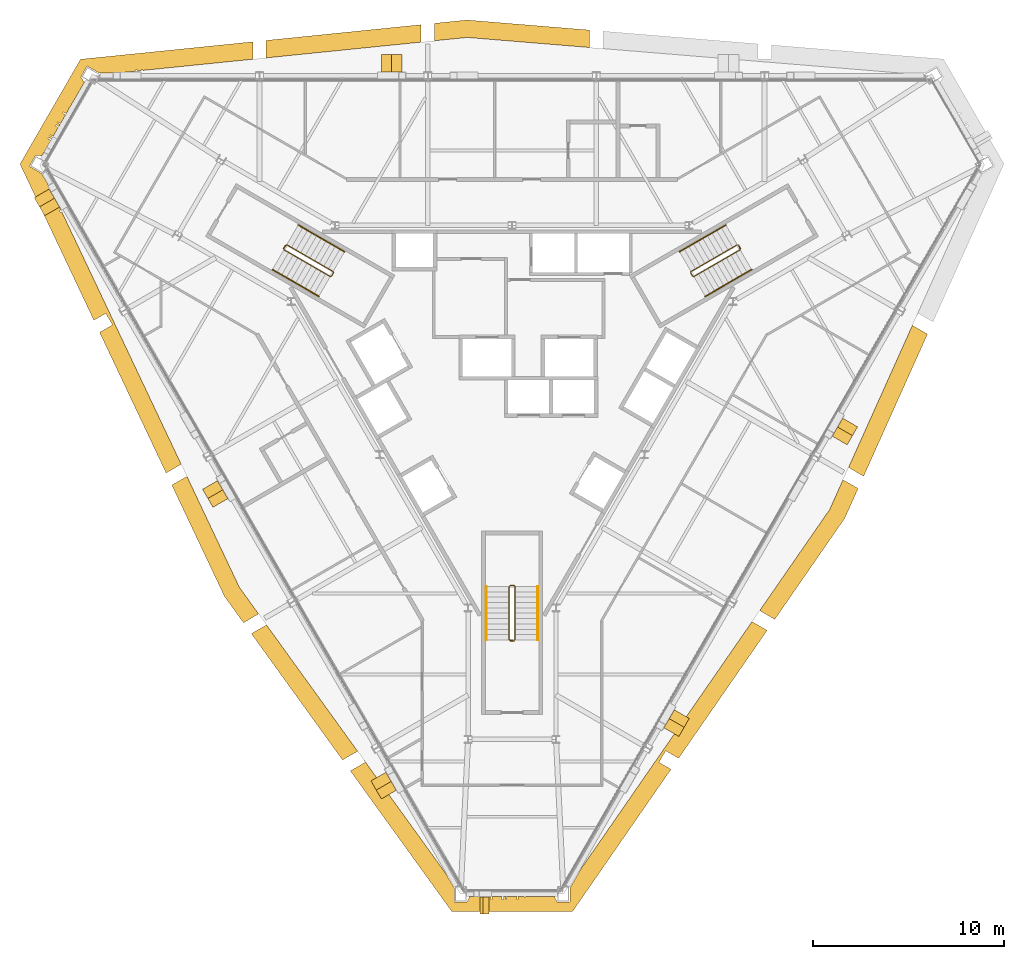
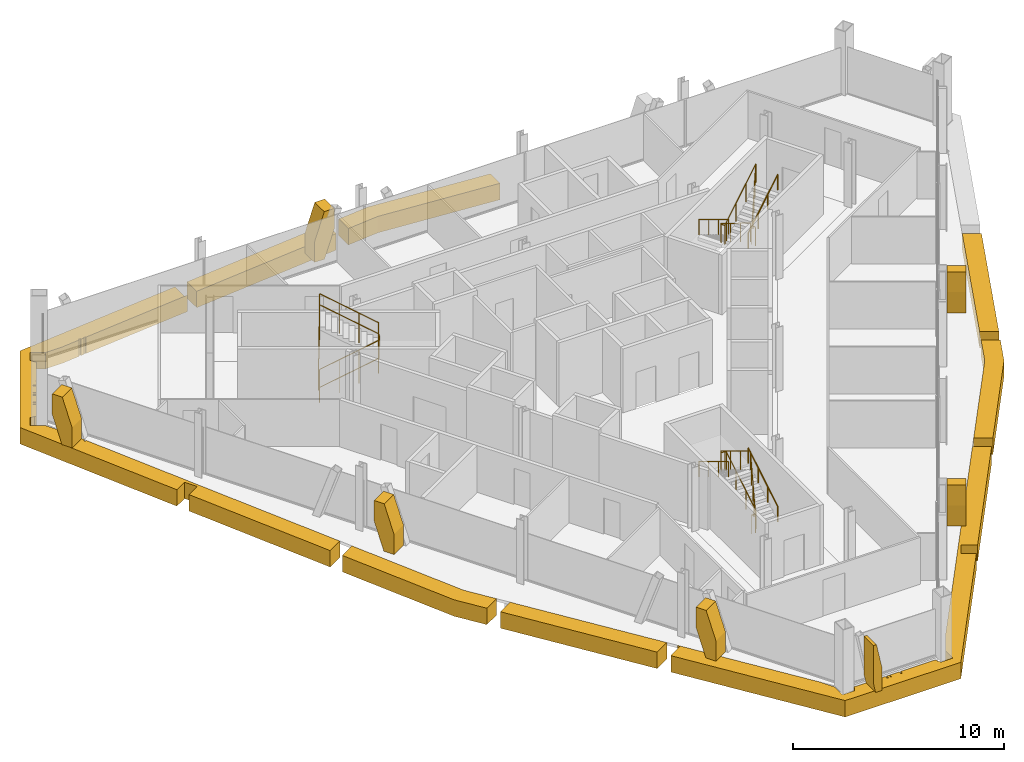
# One storey, part 13 of 14: 15 coverings, 9 railings.
"""IFC4 building model written with IfcOpenShell, lengths in metres."""

from ifc_helpers import new_model, si_unit, direction, frame, origin, origin_2d, place, context, subcontext, project, spatial, polyline, circle, outline, extrude, material, layer, layer_set, type_object, element, save


model = new_model("IFC4")

# Units and contexts
model_context = context("Model", 3, precision=1e-05, world=origin(), true_north=direction((0.0, 1.0)))
body_context = subcontext(model_context, "Body", "Model", "MODEL_VIEW")
ifc_project = project(units=[si_unit("LENGTHUNIT", "METRE"), si_unit("AREAUNIT", "SQUARE_METRE"), si_unit("VOLUMEUNIT", "CUBIC_METRE"), si_unit("PLANEANGLEUNIT", "RADIAN"), si_unit("MASSUNIT", "GRAM", prefix="KILO")], contexts=[model_context])

# Site, building, storey
site_placement = place(None, origin())
site = spatial("IfcSite", under=ifc_project, at=site_placement, CompositionType="ELEMENT")
building_placement = place(site_placement, origin())
building = spatial("IfcBuilding", under=site, at=building_placement, Name="Verrane Prism Tower", CompositionType="ELEMENT")
storey_placement = place(building_placement, frame((0.0, 0.0, 224.89990234375)))
storey = spatial("IfcBuildingStorey", under=building, at=storey_placement, Name="L56", CompositionType="ELEMENT", Elevation=224.89990234375)

# Railings
ifc_material_1 = material(Name="Steel A36 rail and posts, no infill", Category="steel")
railing_type_1 = type_object("IfcRailingType", Name="Stair guard 1100 steel rail and posts", PredefinedType="GUARDRAIL", material=ifc_material_1)
railing_1_placement = place(storey_placement, frame((11.78955078125, 6.97998046875, 0.168212890625)))
element("IfcRailing", 1, at=railing_1_placement, inside=storey, type_object=railing_type_1, Name="Stair 1 guard", PredefinedType="GUARDRAIL", context=body_context, shape_type="SweptSolid", body=[
    extrude(circle(Radius=0.02392578125, at=origin_2d()), frame((0.0, 0.0, 1.076171875), z_axis=(-0.742366697286, -0.42866220388, 0.514917859203), x_axis=(0.500049511043, -0.865996816683, 0.0)), (0.0, 0.0, 1.0), 3.266357421875),
    extrude(circle(Radius=0.02392578125, at=origin_2d()), frame((-2.4248046875, -1.400146484375, 2.7578125), z_axis=(-0.259601060869, -0.965715946433, 0.0), x_axis=(0.965715946433, -0.259601060869, 0.0)), (0.0, 0.0, 1.0), 0.070556640625),
    extrude(circle(Radius=0.02392578125, at=origin_2d()), frame((-2.443115234375, -1.46826171875, 2.7578125), z_axis=(0.499158860599, -0.866510491504, 0.0), x_axis=(0.866510491504, 0.499158860599, 0.0)), (0.0, 0.0, 1.0), 0.199951171875),
    extrude(circle(Radius=0.02392578125, at=origin_2d()), frame((-2.34326171875, -1.6416015625, 2.7578125), z_axis=(0.374585375571, -0.100335368456, 0.921747584887), x_axis=(0.258736085224, 0.965948051503, 0.0)), (0.0, 0.0, 1.0), 0.182373046875),
    extrude(circle(Radius=0.02392578125, at=origin_2d()), frame((-2.27490234375, -1.659912109375, 2.92626953125), z_axis=(0.742366697286, 0.42866220388, 0.514917859203), x_axis=(-0.500049511043, 0.865996816683, 0.0)), (0.0, 0.0, 1.0), 3.266357421875),
    extrude(circle(Radius=0.02392578125, at=origin_2d()), frame((0.14990234375, -0.259765625, 4.60791015625), z_axis=(-0.021985391189, 0.065100454749, -0.997636493602), x_axis=(-0.947430582667, -0.3199613899, 0.0)), (0.0, 0.0, 1.0), 3.708984375),
    extrude(circle(Radius=0.02392578125, at=origin_2d()), frame((0.068359375, -0.018310546875, 0.90771484375), z_axis=(0.499158860599, -0.866510491504, 0.0), x_axis=(0.866510491504, 0.499158860599, 0.0)), (0.0, 0.0, 1.0), 0.199951171875),
    extrude(circle(Radius=0.02099609375, at=origin_2d()), origin(), (0.0, 0.0, 1.0), 1.052001953125),
    extrude(circle(Radius=0.02099609375, at=origin_2d()), frame((-0.808349609375, -0.466796875, 0.560546875)), (0.0, 0.0, 1.0), 1.052001953125),
    extrude(circle(Radius=0.02099609375, at=origin_2d()), frame((-1.616455078125, -0.933349609375, 1.121337890625)), (0.0, 0.0, 1.0), 1.052001953125),
    extrude(circle(Radius=0.02099609375, at=origin_2d()), frame((-2.4248046875, -1.400146484375, 1.681884765625)), (0.0, 0.0, 1.0), 1.052001953125),
    extrude(circle(Radius=0.02099609375, at=origin_2d()), frame((-2.443115234375, -1.46826171875, 1.681884765625)), (0.0, 0.0, 1.0), 1.052001953125),
    extrude(circle(Radius=0.02099609375, at=origin_2d()), frame((-2.34326171875, -1.6416015625, 1.681884765625)), (0.0, 0.0, 1.0), 1.052001953125),
    extrude(circle(Radius=0.02099609375, at=origin_2d()), frame((-2.27490234375, -1.659912109375, 1.85009765625)), (0.0, 0.0, 1.0), 1.052001953125),
    extrude(circle(Radius=0.02099609375, at=origin_2d()), frame((-1.466552734375, -1.193115234375, 2.41064453125)), (0.0, 0.0, 1.0), 1.052001953125),
    extrude(circle(Radius=0.02099609375, at=origin_2d()), frame((-0.658447265625, -0.7265625, 2.971435546875)), (0.0, 0.0, 1.0), 1.052001953125),
    extrude(circle(Radius=0.02099609375, at=origin_2d()), frame((0.14990234375, -0.259765625, 3.531982421875)), (0.0, 0.0, 1.0), 1.052001953125),
    extrude(circle(Radius=0.02099609375, at=origin_2d()), frame((0.12939453125, -0.199462890625, 2.60693359375)), (0.0, 0.0, 1.0), 1.052001953125),
    extrude(circle(Radius=0.02099609375, at=origin_2d()), frame((0.109130859375, -0.13916015625, 1.681884765625)), (0.0, 0.0, 1.0), 1.052001953125),
    extrude(circle(Radius=0.02099609375, at=origin_2d()), frame((0.0888671875, -0.07861328125, 0.7568359375)), (0.0, 0.0, 1.0), 1.052001953125),
    extrude(circle(Radius=0.02099609375, at=origin_2d()), frame((0.068359375, -0.018310546875, -0.168212890625)), (0.0, 0.0, 1.0), 1.052001953125),
    extrude(circle(Radius=0.02099609375, at=origin_2d()), frame((0.168212890625, -0.191650390625, -0.168212890625)), (0.0, 0.0, 1.0), 1.052001953125),
])
railing_2_placement = place(storey_placement, frame((-11.939453125, 6.72021484375, 0.168212890625)))
element("IfcRailing", 2, at=railing_2_placement, inside=storey, type_object=railing_type_1, Name="Stair 2 guard", PredefinedType="GUARDRAIL", context=body_context, shape_type="SweptSolid", body=[
    extrude(circle(Radius=0.02392578125, at=origin_2d()), frame((0.0, 0.0, 1.076171875), z_axis=(0.742366697286, -0.42866220388, 0.514917859203), x_axis=(0.500049511043, 0.865996816683, 0.0)), (0.0, 0.0, 1.0), 3.266357421875),
    extrude(circle(Radius=0.02392578125, at=origin_2d()), frame((2.4248046875, -1.400146484375, 2.7578125), z_axis=(0.965948051503, 0.258736085224, 0.0), x_axis=(-0.258736085224, 0.965948051503, 0.0)), (0.0, 0.0, 1.0), 0.07080078125),
    extrude(circle(Radius=0.02392578125, at=origin_2d()), frame((2.4931640625, -1.3818359375, 2.7578125), z_axis=(0.499158860599, 0.866510491504, 0.0), x_axis=(-0.866510491504, 0.499158860599, 0.0)), (0.0, 0.0, 1.0), 0.199951171875),
    extrude(circle(Radius=0.02392578125, at=origin_2d()), frame((2.593017578125, -1.20849609375, 2.7578125), z_axis=(-0.100385596638, 0.373434419493, 0.922209014446), x_axis=(-0.965715946433, -0.259601060869, 0.0)), (0.0, 0.0, 1.0), 0.182373046875),
    extrude(circle(Radius=0.02392578125, at=origin_2d()), frame((2.57470703125, -1.140380859375, 2.92626953125), z_axis=(-0.742366697286, 0.42866220388, 0.514917859203), x_axis=(-0.500049511043, -0.865996816683, 0.0)), (0.0, 0.0, 1.0), 3.266357421875),
    extrude(circle(Radius=0.02392578125, at=origin_2d()), frame((0.14990234375, 0.259765625, 4.60791015625), z_axis=(-0.045352972709, -0.05167210969, -0.997633750906), x_axis=(0.751567565678, -0.659656118156, 0.0)), (0.0, 0.0, 1.0), 3.708984375),
    extrude(circle(Radius=0.02392578125, at=origin_2d()), frame((-0.018310546875, 0.068115234375, 0.90771484375), z_axis=(0.499158860599, 0.866510491504, 0.0), x_axis=(-0.866510491504, 0.499158860599, 0.0)), (0.0, 0.0, 1.0), 0.199951171875),
    extrude(circle(Radius=0.02099609375, at=origin_2d()), origin(), (0.0, 0.0, 1.0), 1.052001953125),
    extrude(circle(Radius=0.02099609375, at=origin_2d()), frame((0.808349609375, -0.466796875, 0.560546875)), (0.0, 0.0, 1.0), 1.052001953125),
    extrude(circle(Radius=0.02099609375, at=origin_2d()), frame((1.616455078125, -0.933349609375, 1.121337890625)), (0.0, 0.0, 1.0), 1.052001953125),
    extrude(circle(Radius=0.02099609375, at=origin_2d()), frame((2.4248046875, -1.400146484375, 1.681884765625)), (0.0, 0.0, 1.0), 1.052001953125),
    extrude(circle(Radius=0.02099609375, at=origin_2d()), frame((2.4931640625, -1.3818359375, 1.681884765625)), (0.0, 0.0, 1.0), 1.052001953125),
    extrude(circle(Radius=0.02099609375, at=origin_2d()), frame((2.593017578125, -1.20849609375, 1.681884765625)), (0.0, 0.0, 1.0), 1.052001953125),
    extrude(circle(Radius=0.02099609375, at=origin_2d()), frame((2.57470703125, -1.140380859375, 1.85009765625)), (0.0, 0.0, 1.0), 1.052001953125),
    extrude(circle(Radius=0.02099609375, at=origin_2d()), frame((1.766357421875, -0.673583984375, 2.41064453125)), (0.0, 0.0, 1.0), 1.052001953125),
    extrude(circle(Radius=0.02099609375, at=origin_2d()), frame((0.958251953125, -0.20703125, 2.971435546875)), (0.0, 0.0, 1.0), 1.052001953125),
    extrude(circle(Radius=0.02099609375, at=origin_2d()), frame((0.14990234375, 0.259765625, 3.531982421875)), (0.0, 0.0, 1.0), 1.052001953125),
    extrude(circle(Radius=0.02099609375, at=origin_2d()), frame((0.10791015625, 0.2119140625, 2.60693359375)), (0.0, 0.0, 1.0), 1.052001953125),
    extrude(circle(Radius=0.02099609375, at=origin_2d()), frame((0.06591796875, 0.1640625, 1.681884765625)), (0.0, 0.0, 1.0), 1.052001953125),
    extrude(circle(Radius=0.02099609375, at=origin_2d()), frame((0.023681640625, 0.115966796875, 0.7568359375)), (0.0, 0.0, 1.0), 1.052001953125),
    extrude(circle(Radius=0.02099609375, at=origin_2d()), frame((-0.018310546875, 0.068115234375, -0.168212890625)), (0.0, 0.0, 1.0), 1.052001953125),
    extrude(circle(Radius=0.02099609375, at=origin_2d()), frame((0.08154296875, 0.241455078125, -0.168212890625)), (0.0, 0.0, 1.0), 1.052001953125),
])
railing_3_placement = place(storey_placement, frame((0.14990234375, -13.699951171875, 0.168212890625)))
element("IfcRailing", 3, at=railing_3_placement, inside=storey, type_object=railing_type_1, Name="Stair 3 guard", PredefinedType="GUARDRAIL", context=body_context, shape_type="SweptSolid", body=[
    extrude(circle(Radius=0.02392578125, at=origin_2d()), frame((0.0, 0.0, 1.076171875), z_axis=(0.0, 0.857242210791, 0.514913383045), x_axis=(-1.0, 0.0, 0.0)), (0.0, 0.0, 1.0), 3.266357421875),
    extrude(circle(Radius=0.02392578125, at=origin_2d()), frame((0.0, 2.800048828125, 2.7578125), z_axis=(-0.707106781187, 0.707106781187, 0.0), x_axis=(-0.707106781187, -0.707106781187, 0.0)), (0.0, 0.0, 1.0), 0.0703125),
    extrude(circle(Radius=0.02392578125, at=origin_2d()), frame((-0.0498046875, 2.849853515625, 2.7578125), z_axis=(-1.0, 0.0, 0.0), x_axis=(0.0, -1.0, 0.0)), (0.0, 0.0, 1.0), 0.2001953125),
    extrude(circle(Radius=0.02392578125, at=origin_2d()), frame((-0.25, 2.849853515625, 2.7578125), z_axis=(-0.273106073848, -0.273106073848, 0.922402376869), x_axis=(0.707106781187, -0.707106781187, 0.0)), (0.0, 0.0, 1.0), 0.182373046875),
    extrude(circle(Radius=0.02392578125, at=origin_2d()), frame((-0.2998046875, 2.800048828125, 2.92626953125), z_axis=(0.0, -0.857242210791, 0.514913383045), x_axis=(1.0, 0.0, 0.0)), (0.0, 0.0, 1.0), 3.266357421875),
    extrude(circle(Radius=0.02392578125, at=origin_2d()), frame((-0.2998046875, 0.0, 4.60791015625), z_axis=(0.067404178178, -0.013494000514, -0.997634496554), x_axis=(0.196300278283, 0.98054382908, 0.0)), (0.0, 0.0, 1.0), 3.708984375),
    extrude(circle(Radius=0.02392578125, at=origin_2d()), frame((-0.0498046875, -0.050048828125, 0.90771484375), z_axis=(-1.0, 0.0, 0.0), x_axis=(0.0, -1.0, 0.0)), (0.0, 0.0, 1.0), 0.2001953125),
    extrude(circle(Radius=0.02099609375, at=origin_2d()), origin(), (0.0, 0.0, 1.0), 1.052001953125),
    extrude(circle(Radius=0.02099609375, at=origin_2d()), frame((0.0, 0.933349609375, 0.560546875)), (0.0, 0.0, 1.0), 1.052001953125),
    extrude(circle(Radius=0.02099609375, at=origin_2d()), frame((0.0, 1.86669921875, 1.121337890625)), (0.0, 0.0, 1.0), 1.052001953125),
    extrude(circle(Radius=0.02099609375, at=origin_2d()), frame((0.0, 2.800048828125, 1.681884765625)), (0.0, 0.0, 1.0), 1.052001953125),
    extrude(circle(Radius=0.02099609375, at=origin_2d()), frame((-0.0498046875, 2.849853515625, 1.681884765625)), (0.0, 0.0, 1.0), 1.052001953125),
    extrude(circle(Radius=0.02099609375, at=origin_2d()), frame((-0.25, 2.849853515625, 1.681884765625)), (0.0, 0.0, 1.0), 1.052001953125),
    extrude(circle(Radius=0.02099609375, at=origin_2d()), frame((-0.2998046875, 2.800048828125, 1.85009765625)), (0.0, 0.0, 1.0), 1.052001953125),
    extrude(circle(Radius=0.02099609375, at=origin_2d()), frame((-0.2998046875, 1.86669921875, 2.41064453125)), (0.0, 0.0, 1.0), 1.052001953125),
    extrude(circle(Radius=0.02099609375, at=origin_2d()), frame((-0.2998046875, 0.933349609375, 2.971435546875)), (0.0, 0.0, 1.0), 1.052001953125),
    extrude(circle(Radius=0.02099609375, at=origin_2d()), frame((-0.2998046875, 0.0, 3.531982421875)), (0.0, 0.0, 1.0), 1.052001953125),
    extrude(circle(Radius=0.02099609375, at=origin_2d()), frame((-0.2373046875, -0.012451171875, 2.60693359375)), (0.0, 0.0, 1.0), 1.052001953125),
    extrude(circle(Radius=0.02099609375, at=origin_2d()), frame((-0.1748046875, -0.02490234375, 1.681884765625)), (0.0, 0.0, 1.0), 1.052001953125),
    extrude(circle(Radius=0.02099609375, at=origin_2d()), frame((-0.1123046875, -0.03759765625, 0.7568359375)), (0.0, 0.0, 1.0), 1.052001953125),
    extrude(circle(Radius=0.02099609375, at=origin_2d()), frame((-0.0498046875, -0.050048828125, -0.168212890625)), (0.0, 0.0, 1.0), 1.052001953125),
    extrude(circle(Radius=0.02099609375, at=origin_2d()), frame((-0.25, -0.050048828125, -0.168212890625)), (0.0, 0.0, 1.0), 1.052001953125),
])
ifc_material_2 = material(Name="Steel A36 tube", Category="steel")
railing_type_2 = type_object("IfcRailingType", Name="Stair handrail 900 steel tube", PredefinedType="HANDRAIL", material=ifc_material_2)
railing_4_placement = place(storey_placement, frame((11.189453125, 8.01904296875, 0.168212890625)))
element("IfcRailing", 4, at=railing_4_placement, inside=storey, type_object=railing_type_2, Name="Stair 1 handrail", PredefinedType="HANDRAIL", context=body_context, shape_type="SweptSolid", body=[
    extrude(circle(Radius=0.02392578125, at=origin_2d()), frame((0.0, 0.0, 0.8759765625), z_axis=(-0.742390482028, -0.42860119049, 0.514934356695), x_axis=(0.49998411664, -0.866034573852, 0.0)), (0.0, 0.0, 1.0), 3.26611328125),
    extrude(circle(Radius=0.02099609375, at=origin_2d()), origin(), (0.0, 0.0, 1.0), 0.851806640625),
    extrude(circle(Radius=0.02099609375, at=origin_2d()), frame((-0.808349609375, -0.466552734375, 0.560546875)), (0.0, 0.0, 1.0), 0.851806640625),
    extrude(circle(Radius=0.02099609375, at=origin_2d()), frame((-1.616455078125, -0.933349609375, 1.121337890625)), (0.0, 0.0, 1.0), 0.851806640625),
    extrude(circle(Radius=0.02099609375, at=origin_2d()), frame((-2.4248046875, -1.39990234375, 1.681884765625)), (0.0, 0.0, 1.0), 0.851806640625),
])
railing_5_placement = place(storey_placement, frame((10.11474609375, 4.28076171875, 2.018310546875)))
element("IfcRailing", 5, at=railing_5_placement, inside=storey, type_object=railing_type_2, Name="Stair 1 handrail", PredefinedType="HANDRAIL", context=body_context, shape_type="SweptSolid", body=[
    extrude(circle(Radius=0.02392578125, at=origin_2d()), frame((0.0, 0.0, 0.8759765625), z_axis=(0.742366697286, 0.42866220388, 0.514917859203), x_axis=(-0.500049511043, 0.865996816683, 0.0)), (0.0, 0.0, 1.0), 3.266357421875),
    extrude(circle(Radius=0.02099609375, at=origin_2d()), origin(), (0.0, 0.0, 1.0), 0.851806640625),
    extrude(circle(Radius=0.02099609375, at=origin_2d()), frame((0.808349609375, 0.466796875, 0.560546875)), (0.0, 0.0, 1.0), 0.851806640625),
    extrude(circle(Radius=0.02099609375, at=origin_2d()), frame((1.616455078125, 0.933349609375, 1.121337890625)), (0.0, 0.0, 1.0), 0.851806640625),
    extrude(circle(Radius=0.02099609375, at=origin_2d()), frame((2.4248046875, 1.400146484375, 1.681884765625)), (0.0, 0.0, 1.0), 0.851806640625),
])
railing_6_placement = place(storey_placement, frame((-12.53955078125, 5.680908203125, 0.168212890625)))
element("IfcRailing", 6, at=railing_6_placement, inside=storey, type_object=railing_type_2, Name="Stair 2 handrail", PredefinedType="HANDRAIL", context=body_context, shape_type="SweptSolid", body=[
    extrude(circle(Radius=0.02392578125, at=origin_2d()), frame((0.0, 0.0, 0.8759765625), z_axis=(0.742366697286, -0.42866220388, 0.514917859203), x_axis=(0.500049511043, 0.865996816683, 0.0)), (0.0, 0.0, 1.0), 3.266357421875),
    extrude(circle(Radius=0.02099609375, at=origin_2d()), origin(), (0.0, 0.0, 1.0), 0.851806640625),
    extrude(circle(Radius=0.02099609375, at=origin_2d()), frame((0.808349609375, -0.466796875, 0.560546875)), (0.0, 0.0, 1.0), 0.851806640625),
    extrude(circle(Radius=0.02099609375, at=origin_2d()), frame((1.616455078125, -0.933349609375, 1.121337890625)), (0.0, 0.0, 1.0), 0.851806640625),
    extrude(circle(Radius=0.02099609375, at=origin_2d()), frame((2.4248046875, -1.400146484375, 1.681884765625)), (0.0, 0.0, 1.0), 0.851806640625),
])
railing_7_placement = place(storey_placement, frame((-8.7646484375, 6.619140625, 2.018310546875)))
element("IfcRailing", 7, at=railing_7_placement, inside=storey, type_object=railing_type_2, Name="Stair 2 handrail", PredefinedType="HANDRAIL", context=body_context, shape_type="SweptSolid", body=[
    extrude(circle(Radius=0.02392578125, at=origin_2d()), frame((0.0, 0.0, 0.8759765625), z_axis=(-0.742390482028, 0.42860119049, 0.514934356695), x_axis=(-0.49998411664, -0.866034573852, 0.0)), (0.0, 0.0, 1.0), 3.26611328125),
    extrude(circle(Radius=0.02099609375, at=origin_2d()), origin(), (0.0, 0.0, 1.0), 0.851806640625),
    extrude(circle(Radius=0.02099609375, at=origin_2d()), frame((-0.808349609375, 0.466552734375, 0.560546875)), (0.0, 0.0, 1.0), 0.851806640625),
    extrude(circle(Radius=0.02099609375, at=origin_2d()), frame((-1.616455078125, 0.933349609375, 1.121337890625)), (0.0, 0.0, 1.0), 0.851806640625),
    extrude(circle(Radius=0.02099609375, at=origin_2d()), frame((-2.4248046875, 1.39990234375, 1.681884765625)), (0.0, 0.0, 1.0), 0.851806640625),
])
railing_8_placement = place(storey_placement, frame((1.35009765625, -13.699951171875, 0.168212890625)))
element("IfcRailing", 8, at=railing_8_placement, inside=storey, type_object=railing_type_2, Name="Stair 3 handrail", PredefinedType="HANDRAIL", context=body_context, shape_type="SweptSolid", body=[
    extrude(circle(Radius=0.02392578125, at=origin_2d()), frame((0.0, 0.0, 0.8759765625), z_axis=(0.0, 0.857242210791, 0.514913383045), x_axis=(-1.0, 0.0, 0.0)), (0.0, 0.0, 1.0), 3.266357421875),
    extrude(circle(Radius=0.02099609375, at=origin_2d()), origin(), (0.0, 0.0, 1.0), 0.851806640625),
    extrude(circle(Radius=0.02099609375, at=origin_2d()), frame((0.0, 0.933349609375, 0.560546875)), (0.0, 0.0, 1.0), 0.851806640625),
    extrude(circle(Radius=0.02099609375, at=origin_2d()), frame((0.0, 1.86669921875, 1.121337890625)), (0.0, 0.0, 1.0), 0.851806640625),
    extrude(circle(Radius=0.02099609375, at=origin_2d()), frame((0.0, 2.800048828125, 1.681884765625)), (0.0, 0.0, 1.0), 0.851806640625),
])
railing_9_placement = place(storey_placement, frame((-1.35009765625, -10.89990234375, 2.018310546875)))
element("IfcRailing", 9, at=railing_9_placement, inside=storey, type_object=railing_type_2, Name="Stair 3 handrail", PredefinedType="HANDRAIL", context=body_context, shape_type="SweptSolid", body=[
    extrude(circle(Radius=0.02392578125, at=origin_2d()), frame((0.0, 0.0, 0.8759765625), z_axis=(0.0, -0.857242210791, 0.514913383045), x_axis=(1.0, 0.0, 0.0)), (0.0, 0.0, 1.0), 3.266357421875),
    extrude(circle(Radius=0.02099609375, at=origin_2d()), origin(), (0.0, 0.0, 1.0), 0.851806640625),
    extrude(circle(Radius=0.02099609375, at=origin_2d()), frame((0.0, -0.933349609375, 0.560546875)), (0.0, 0.0, 1.0), 0.851806640625),
    extrude(circle(Radius=0.02099609375, at=origin_2d()), frame((0.0, -1.86669921875, 1.121337890625)), (0.0, 0.0, 1.0), 0.851806640625),
    extrude(circle(Radius=0.02099609375, at=origin_2d()), frame((0.0, -2.800048828125, 1.681884765625)), (0.0, 0.0, 1.0), 0.851806640625),
])

# Coverings
ifc_material_3 = material(Name="Warm limestone cladding", Category="masonry")
ifc_layer_1 = layer(ifc_material_3, 0.89990234375)
ifc_layer_set_1 = layer_set([ifc_layer_1], Name="Stone brace fin 900")
covering_type_1 = type_object("IfcCoveringType", Name="Stone brace fin 900", PredefinedType="CLADDING", material=ifc_layer_set_1)
covering_1_placement = place(storey_placement, frame((-6.841552734375, 16.483154296875, 0.0), z_axis=(0.0, 0.0, 1.0), x_axis=(1.0, 0.0, 0.0)))
element("IfcCovering", 10, at=covering_1_placement, inside=storey, type_object=covering_type_1, Name="Stone brace fin N4 L56", PredefinedType="CLADDING", context=body_context, shape_type="SweptSolid", body=[
    extrude(outline(polyline([(1.087158203125, 2.75), (0.53369140625, 2.75), (0.0, 1.180908203125), (0.0, 0.0), (0.549072265625, 0.0), (1.087158203125, 1.582275390625), (1.087158203125, 2.75)])), frame((0.0, 0.449951171875, 0.0), z_axis=(0.0, -1.0, 0.0), x_axis=(1.0, 0.0, 0.0)), (0.0, 0.0, 1.0), 0.89990234375),
])
for number, where, z_axis, x_axis, name in (
    (11, (-24.071533203125, 8.727783203125, 0.0), (0.0, 0.0, 1.0), (-0.499521517039, 0.866301479864, 0.0), "Stone brace fin SW1 L56"),
    (12, (-15.26171875, -6.531982421875, 0.0), (0.0, 0.0, 1.0), (-0.499450126996, 0.866342640439, 0.0), "Stone brace fin SW3 L56"),
):
    element("IfcCovering", number, at=place(storey_placement, frame(where, z_axis=z_axis, x_axis=x_axis)), inside=storey, type_object=covering_type_1, Name=name, PredefinedType="CLADDING", context=body_context, shape_type="SweptSolid", body=[
        extrude(outline(polyline([(1.0869140625, 2.75), (0.533447265625, 2.75), (0.0, 1.18115234375), (0.0, 0.0), (0.549072265625, 0.0), (1.0869140625, 1.581787109375), (1.0869140625, 2.75)])), frame((0.0, 0.449951171875, 0.0), z_axis=(0.0, -1.0, 0.0), x_axis=(1.0, 0.0, 0.0)), (0.0, 0.0, 1.0), 0.89990234375),
    ])
for number, where, z_axis, x_axis, name in (
    (13, (-6.448486328125, -21.792724609375, 0.0), (0.0, 0.0, 1.0), (-0.500363613817, 0.865815369445, 0.0), "Stone brace fin SW5 L56"),
    (14, (8.882568359375, -17.5810546875, 0.0), (0.0, 0.0, 1.0), (-0.500363613817, -0.865815369445, 0.0), "Stone brace fin SE2 L56"),
    (15, (17.692626953125, -2.321044921875, 0.0), (0.0, 0.0, 1.0), (-0.500363613817, -0.865815369445, 0.0), "Stone brace fin SE4 L56"),
):
    element("IfcCovering", number, at=place(storey_placement, frame(where, z_axis=z_axis, x_axis=x_axis)), inside=storey, type_object=covering_type_1, Name=name, PredefinedType="CLADDING", context=body_context, shape_type="SweptSolid", body=[
        extrude(outline(polyline([(1.08740234375, 2.75), (0.5341796875, 2.75), (0.0, 1.180419921875), (0.0, 0.0), (0.549072265625, 0.0), (1.08740234375, 1.58251953125), (1.08740234375, 2.75)])), frame((0.0, 0.449951171875, 0.0), z_axis=(0.0, -1.0, 0.0), x_axis=(1.0, 0.0, 0.0)), (0.0, 0.0, 1.0), 0.89990234375),
    ])
covering_2_placement = place(storey_placement, frame((-1.21435546875, -27.59228515625, 0.0), z_axis=(0.0, 0.0, 1.0), x_axis=(-1.0, 0.0, 0.0)))
element("IfcCovering", 16, at=covering_2_placement, inside=storey, type_object=covering_type_1, Name="Stone brace fin S1 L56", PredefinedType="CLADDING", context=body_context, shape_type="SweptSolid", body=[
    extrude(outline(polyline([(0.473388671875, 2.75), (0.31005859375, 2.75), (0.0, 1.257568359375), (0.0, 0.0), (0.362060546875, 0.0), (0.473388671875, 0.536865234375), (0.473388671875, 2.75)])), frame((0.0, 0.449951171875, 0.0), z_axis=(0.0, -1.0, 0.0), x_axis=(1.0, 0.0, 0.0)), (0.0, 0.0, 1.0), 0.89990234375),
])
ifc_material_4 = material(Name="Warm limestone cladding", Category="masonry")
ifc_layer_2 = layer(ifc_material_4, 0.449951171875)
ifc_layer_set_2 = layer_set([ifc_layer_2], Name="Stone spandrel band 450")
covering_type_2 = type_object("IfcCoveringType", Name="Stone spandrel band 450", PredefinedType="CLADDING", material=ifc_layer_set_2)
covering_3_placement = place(storey_placement, frame((0.0, 0.0, -0.949951171875)))
element("IfcCovering", 17, at=covering_3_placement, inside=storey, type_object=covering_type_2, Name="Stone spandrel band L56 part 1", PredefinedType="CLADDING", context=body_context, shape_type="SweptSolid", body=[
    extrude(outline(polyline([(-7.689453125, -20.10546875), (-8.46240234375, -20.551513671875), (-3.160400390625, -27.90185546875), (3.171630859375, -27.90185546875), (8.3173828125, -20.468017578125), (7.689453125, -20.10546875), (8.03955078125, -19.499267578125), (8.717041015625, -19.890380859375), (13.34912109375, -13.198486328125), (12.55859375, -12.741943359375), (3.623291015625, -25.651123046875), (3.02001953125, -26.69580078125), (3.02001953125, -27.419921875), (2.360107421875, -27.419921875), (2.360107421875, -27.39794921875), (2.251953125, -27.208740234375), (2.251953125, -27.12548828125), (0.7041015625, -27.12548828125), (0.67578125, -27.164794921875), (0.62109375, -27.12548828125), (0.32275390625, -27.12548828125), (0.32275390625, -27.2900390625), (0.251708984375, -27.2900390625), (0.251708984375, -27.12548828125), (-0.278076171875, -27.12548828125), (-0.278076171875, -27.2900390625), (-0.32275390625, -27.2900390625), (-0.32275390625, -27.12548828125), (-0.44580078125, -27.12548828125), (-0.44580078125, -27.2900390625), (-0.51708984375, -27.2900390625), (-0.51708984375, -27.12548828125), (-1.046630859375, -27.12548828125), (-1.046630859375, -27.2900390625), (-1.09130859375, -27.2900390625), (-1.09130859375, -27.12548828125), (-1.21435546875, -27.12548828125), (-1.21435546875, -27.2900390625), (-1.285400390625, -27.2900390625), (-1.285400390625, -27.12548828125), (-2.251953125, -27.12548828125), (-2.251953125, -27.208740234375), (-2.360107421875, -27.39794921875), (-2.360107421875, -27.419921875), (-3.02001953125, -27.419921875), (-3.02001953125, -26.69580078125), (-3.466552734375, -25.922607421875), (-7.7548828125, -19.977294921875), (-7.76123046875, -19.981201171875), (-7.689453125, -20.10546875)])), origin(), (0.0, 0.0, 1.0), 0.949951171875),
])
covering_4_placement = place(storey_placement, frame((0.0, 0.0, -0.949951171875)))
element("IfcCovering", 18, at=covering_4_placement, inside=storey, type_object=covering_type_2, Name="Stone spandrel band L56 part 3", PredefinedType="CLADDING", context=body_context, shape_type="SweptSolid", body=[
    extrude(outline(polyline([(-17.314208984375, -4.5048828125), (-23.15478515625, 7.845458984375), (-23.19091796875, 7.90771484375), (-23.185791015625, 7.91064453125), (-23.5576171875, 8.697021484375), (-23.6240234375, 8.658935546875), (-23.679931640625, 8.755859375), (-23.605712890625, 8.798583984375), (-23.67919921875, 8.9541015625), (-23.765625, 8.904296875), (-23.8193359375, 8.997802734375), (-23.725341796875, 9.0517578125), (-24.026123046875, 9.687744140625), (-24.624267578125, 10.7236328125), (-25.25732421875, 11.089111328125), (-24.927490234375, 11.660888671875), (-24.908447265625, 11.64990234375), (-24.689453125, 11.64990234375), (-24.619140625, 11.609130859375), (-24.135498046875, 12.447021484375), (-24.277587890625, 12.52880859375), (-24.2421875, 12.590576171875), (-24.099853515625, 12.5087890625), (-24.038330078125, 12.615478515625), (-24.1806640625, 12.697265625), (-24.158203125, 12.736083984375), (-24.015869140625, 12.654296875), (-23.75048828125, 13.11376953125), (-23.893310546875, 13.196044921875), (-23.85791015625, 13.2578125), (-23.71484375, 13.175537109375), (-23.6533203125, 13.2822265625), (-23.79638671875, 13.364501953125), (-23.77392578125, 13.4033203125), (-23.630859375, 13.321044921875), (-23.365478515625, 13.780517578125), (-23.509033203125, 13.86328125), (-23.4736328125, 13.9248046875), (-23.330078125, 13.84228515625), (-23.181396484375, 14.099609375), (-23.188232421875, 14.168701171875), (-23.138916015625, 14.17333984375), (-22.363525390625, 15.516357421875), (-22.4375, 15.55908203125), (-22.54833984375, 15.748291015625), (-22.5673828125, 15.75927734375), (-22.2373046875, 16.330810546875), (-21.60107421875, 15.96337890625), (-20.71630859375, 15.96337890625), (-19.706298828125, 16.06591796875), (-19.706298828125, 16.1298828125), (-19.598388671875, 16.1298828125), (-19.598388671875, 16.076904296875), (-19.42724609375, 16.094482421875), (-19.42724609375, 16.1298828125), (-19.315185546875, 16.1298828125), (-19.315185546875, 16.105712890625), (-13.402099609375, 16.706787109375), (-13.40234375, 16.714111328125), (-13.56689453125, 16.714111328125), (-13.56689453125, 17.6044921875), (-22.58349609375, 16.68798828125), (-25.749755859375, 11.2041015625), (-21.884521484375, 3.031005859375), (-21.26025390625, 3.39111328125), (-20.910400390625, 2.784912109375), (-21.584228515625, 2.39599609375), (-18.104736328125, -4.96142578125), (-17.314208984375, -4.5048828125)])), origin(), (0.0, 0.0, 1.0), 0.949951171875),
])
covering_5_placement = place(storey_placement, frame((0.0, 0.0, -0.949951171875)))
element("IfcCovering", 19, at=covering_5_placement, inside=storey, type_object=covering_type_2, Name="Stone spandrel band L56 part 4", PredefinedType="CLADDING", context=body_context, shape_type="SweptSolid", body=[
    extrude(outline(polyline([(-14.05517578125, -12.7978515625), (-13.26318359375, -12.340576171875), (-14.266357421875, -10.949951171875), (-17.013916015625, -5.139892578125), (-17.804443359375, -5.596435546875), (-15.052978515625, -11.414306640625), (-14.05517578125, -12.7978515625)])), origin(), (0.0, 0.0, 1.0), 0.949951171875),
])
covering_6_placement = place(storey_placement, frame((0.0, 0.0, -0.949951171875)))
element("IfcCovering", 20, at=covering_6_placement, inside=storey, type_object=covering_type_2, Name="Stone spandrel band L56 part 5", PredefinedType="CLADDING", context=body_context, shape_type="SweptSolid", body=[
    extrude(outline(polyline([(-8.08203125, -19.523681640625), (-12.851806640625, -12.9111328125), (-13.6435546875, -13.368408203125), (-8.8740234375, -19.98095703125), (-8.08203125, -19.523681640625)])), origin(), (0.0, 0.0, 1.0), 0.949951171875),
])
covering_7_placement = place(storey_placement, frame((0.0, 0.0, -0.949951171875)))
element("IfcCovering", 21, at=covering_7_placement, inside=storey, type_object=covering_type_2, Name="Stone spandrel band L56 part 6", PredefinedType="CLADDING", context=body_context, shape_type="SweptSolid", body=[
    extrude(outline(polyline([(18.11083984375, -5.773193359375), (17.31884765625, -5.31591796875), (16.6162109375, -6.880126953125), (12.958251953125, -12.16455078125), (13.748779296875, -12.62109375), (17.41162109375, -7.3291015625), (18.11083984375, -5.773193359375)])), origin(), (0.0, 0.0, 1.0), 0.949951171875),
])
covering_8_placement = place(storey_placement, frame((0.0, 0.0, -0.949951171875)))
element("IfcCovering", 22, at=covering_8_placement, inside=storey, type_object=covering_type_2, Name="Stone spandrel band L56 part 7", PredefinedType="CLADDING", context=body_context, shape_type="SweptSolid", body=[
    extrude(outline(polyline([(21.740966796875, 2.305419921875), (20.94921875, 2.7626953125), (17.607421875, -4.67431640625), (18.3994140625, -5.131591796875), (21.740966796875, 2.305419921875)])), origin(), (0.0, 0.0, 1.0), 0.949951171875),
])
covering_9_placement = place(storey_placement, frame((0.0, 0.0, -0.949951171875)))
element("IfcCovering", 23, at=covering_9_placement, inside=storey, type_object=covering_type_2, Name="Stone spandrel band L56 part 8", PredefinedType="CLADDING", context=body_context, shape_type="SweptSolid", body=[
    extrude(outline(polyline([(-4.0556640625, 18.571044921875), (-4.0556640625, 17.656494140625), (-2.349609375, 17.830078125), (4.0556640625, 17.304443359375), (4.0556640625, 18.21728515625), (-2.358642578125, 18.74365234375), (-4.0556640625, 18.571044921875)])), origin(), (0.0, 0.0, 1.0), 0.949951171875),
])
covering_10_placement = place(storey_placement, frame((0.0, 0.0, -0.949951171875)))
element("IfcCovering", 24, at=covering_10_placement, inside=storey, type_object=covering_type_2, Name="Stone spandrel band L56 part 9", PredefinedType="CLADDING", context=body_context, shape_type="SweptSolid", body=[
    extrude(outline(polyline([(-12.866943359375, 16.760986328125), (-4.755615234375, 17.58544921875), (-4.755615234375, 18.5), (-7.5927734375, 18.211669921875), (-12.866943359375, 17.675537109375), (-12.866943359375, 16.760986328125)])), origin(), (0.0, 0.0, 1.0), 0.949951171875),
])

save(model, "model.ifc")
